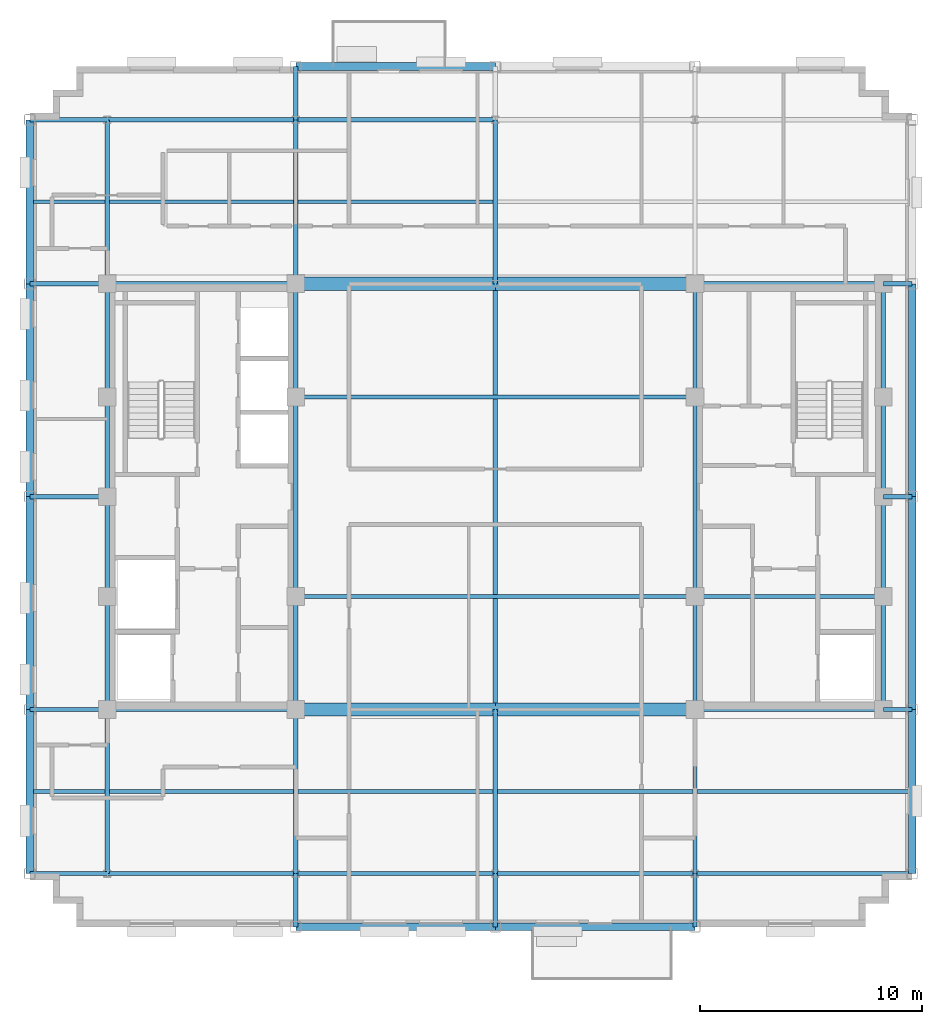
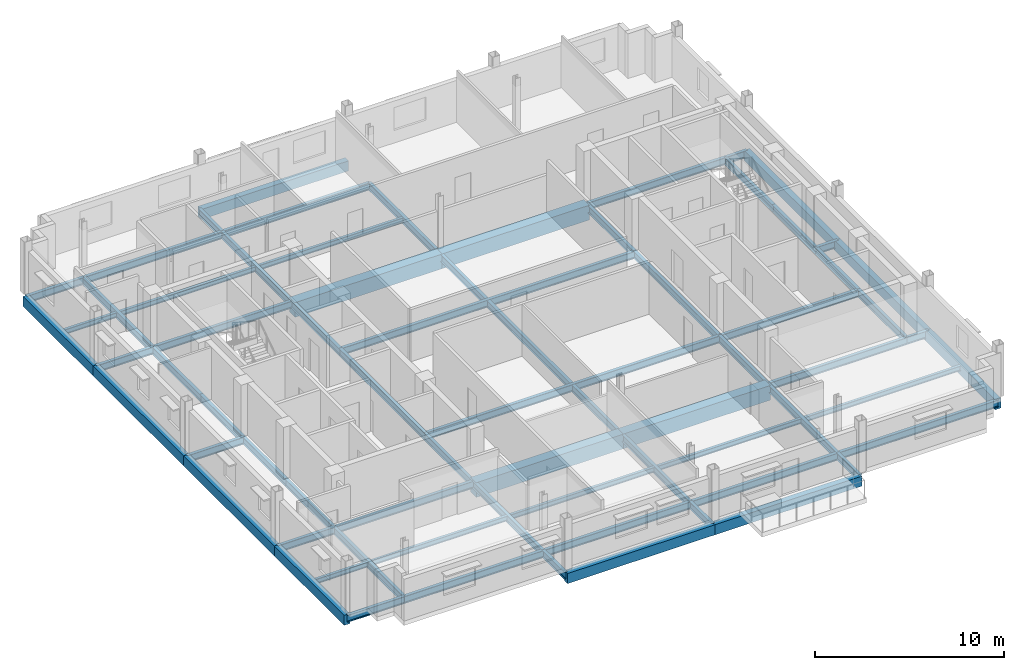
# One storey, part 4 of 13: 69 beams.
"""IFC4 building model written with IfcOpenShell, lengths in metres."""

from ifc_helpers import new_model, si_unit, direction, frame, origin, origin_2d, place, context, subcontext, project, spatial, rectangle, i_section, extrude, material, material_profile, profile_set, type_object, element, save


model = new_model("IFC4")

# Units and contexts
model_context = context("Model", 3, precision=1e-05, world=origin(), true_north=direction((0.0, 1.0)))
body_context = subcontext(model_context, "Body", "Model", "MODEL_VIEW")
ifc_project = project(units=[si_unit("LENGTHUNIT", "METRE"), si_unit("AREAUNIT", "SQUARE_METRE"), si_unit("VOLUMEUNIT", "CUBIC_METRE"), si_unit("PLANEANGLEUNIT", "RADIAN"), si_unit("MASSUNIT", "GRAM", prefix="KILO")], contexts=[model_context])

# Site, building, storey
site_placement = place(None, origin())
site = spatial("IfcSite", under=ifc_project, at=site_placement, CompositionType="ELEMENT")
building_placement = place(site_placement, origin())
building = spatial("IfcBuilding", under=site, at=building_placement, Name="Nuvemarco Arch Tower", CompositionType="ELEMENT")
storey_placement = place(building_placement, frame((0.0, 0.0, 257.949951171875)))
storey = spatial("IfcBuildingStorey", under=building, at=storey_placement, Name="L68", CompositionType="ELEMENT", Elevation=257.949951171875)

# Beams
ifc_material_1 = material(Name="Concrete C60/75", Category="concrete")
ifc_material_profile_1 = material_profile(ifc_material_1, rectangle(XDim=0.60009765625, YDim=0.949951171875, at=origin_2d()), Name="RC-BM-600x950")
ifc_profile_set_1 = profile_set([ifc_material_profile_1], Name="Concrete C60/75")
beam_type_1 = type_object("IfcBeamType", Name="BM-COUP-RC", PredefinedType="LINTEL", material=ifc_profile_set_1)
for number, where, z_axis, x_axis, name in (
    (1, (-9.0, -9.60009765625, -0.7548828125), (1.0, 0.0, 0.0), (0.0, 1.0, 0.0), "L68 structural beam BGEW_L68_0_-9.6_-9.0"),
    (2, (0.0, -9.60009765625, -0.7548828125), (1.0, 0.0, 0.0), (0.0, 1.0, 0.0), "L68 structural beam BGEW_L68_0_-9.6_+0.0"),
    (3, (-9.0, 9.60009765625, -0.7548828125), (1.0, 0.0, 0.0), (0.0, 1.0, 0.0), "L68 structural beam BGEW_L68_0_+9.6_-9.0"),
    (4, (0.0, 9.60009765625, -0.7548828125), (1.0, 0.0, 0.0), (0.0, 1.0, 0.0), "L68 structural beam BGEW_L68_0_+9.6_+0.0"),
):
    element("IfcBeam", number, at=place(storey_placement, frame(where, z_axis=z_axis, x_axis=x_axis)), inside=storey, type_object=beam_type_1, Name=name, PredefinedType="LINTEL", context=body_context, shape_type="SweptSolid", body=[
        extrude(rectangle(XDim=0.60009765625, YDim=0.949951171875, at=origin_2d()), origin(), (0.0, 0.0, 1.0), 9.0),
    ])
ifc_material_2 = material(Name="Steel S355", Category="steel")
ifc_material_profile_2 = material_profile(ifc_material_2, i_section(OverallWidth=0.19189453125, OverallDepth=0.462890625, WebThickness=0.010498046875, FlangeThickness=0.017578125, FilletRadius=0.014892578125, at=origin_2d()), Name="W460x89")
ifc_profile_set_2 = profile_set([ifc_material_profile_2], Name="Steel S355")
beam_type_2 = type_object("IfcBeamType", Name="BM-GIRD-460", PredefinedType="BEAM", material=ifc_profile_set_2)
beam_1_placement = place(storey_placement, frame((-17.5, -17.0, -0.511474609375), z_axis=(0.0, 1.0, 0.0), x_axis=(-1.0, 0.0, 0.0)))
element("IfcBeam", 5, at=beam_1_placement, inside=storey, type_object=beam_type_2, Name="L68 structural beam BGNS_L68_0_-17.5_-17.0", PredefinedType="BEAM", context=body_context, shape_type="SweptSolid", body=[
    extrude(i_section(OverallWidth=0.19189453125, OverallDepth=0.462890625, WebThickness=0.010498046875, FlangeThickness=0.017578125, FilletRadius=0.014892578125, at=origin_2d()), origin(), (0.0, 0.0, 1.0), 7.39990234375),
])
beam_2_placement = place(storey_placement, frame((-17.5, -9.60009765625, -0.511474609375), z_axis=(0.0, 1.0, 0.0), x_axis=(-1.0, 0.0, 0.0)))
element("IfcBeam", 6, at=beam_2_placement, inside=storey, type_object=beam_type_2, Name="L68 structural beam BGNS_L68_0_-17.5_-9.6", PredefinedType="BEAM", context=body_context, shape_type="SweptSolid", body=[
    extrude(i_section(OverallWidth=0.19189453125, OverallDepth=0.462890625, WebThickness=0.010498046875, FlangeThickness=0.017578125, FilletRadius=0.014892578125, at=origin_2d()), origin(), (0.0, 0.0, 1.0), 5.10009765625),
])
for number, where, z_axis, x_axis, name in (
    (7, (-17.5, -4.5, -0.511474609375), (0.0, 1.0, 0.0), (-1.0, 0.0, 0.0), "L68 structural beam BGNS_L68_0_-17.5_-4.5"),
    (8, (-17.5, 0.0, -0.511474609375), (0.0, 1.0, 0.0), (-1.0, 0.0, 0.0), "L68 structural beam BGNS_L68_0_-17.5_+0.0"),
):
    element("IfcBeam", number, at=place(storey_placement, frame(where, z_axis=z_axis, x_axis=x_axis)), inside=storey, type_object=beam_type_2, Name=name, PredefinedType="BEAM", context=body_context, shape_type="SweptSolid", body=[
        extrude(i_section(OverallWidth=0.19189453125, OverallDepth=0.462890625, WebThickness=0.010498046875, FlangeThickness=0.017578125, FilletRadius=0.014892578125, at=origin_2d()), origin(), (0.0, 0.0, 1.0), 4.5),
    ])
beam_3_placement = place(storey_placement, frame((-17.5, 4.5, -0.511474609375), z_axis=(0.0, 1.0, 0.0), x_axis=(-1.0, 0.0, 0.0)))
element("IfcBeam", 9, at=beam_3_placement, inside=storey, type_object=beam_type_2, Name="L68 structural beam BGNS_L68_0_-17.5_+4.5", PredefinedType="BEAM", context=body_context, shape_type="SweptSolid", body=[
    extrude(i_section(OverallWidth=0.19189453125, OverallDepth=0.462890625, WebThickness=0.010498046875, FlangeThickness=0.017578125, FilletRadius=0.014892578125, at=origin_2d()), origin(), (0.0, 0.0, 1.0), 5.10009765625),
])
beam_4_placement = place(storey_placement, frame((-17.5, 9.60009765625, -0.511474609375), z_axis=(0.0, 1.0, 0.0), x_axis=(-1.0, 0.0, 0.0)))
element("IfcBeam", 10, at=beam_4_placement, inside=storey, type_object=beam_type_2, Name="L68 structural beam BGNS_L68_0_-17.5_+9.6", PredefinedType="BEAM", context=body_context, shape_type="SweptSolid", body=[
    extrude(i_section(OverallWidth=0.19189453125, OverallDepth=0.462890625, WebThickness=0.010498046875, FlangeThickness=0.017578125, FilletRadius=0.014892578125, at=origin_2d()), origin(), (0.0, 0.0, 1.0), 7.39990234375),
])
beam_5_placement = place(storey_placement, frame((-9.0, -19.39990234375, -0.511474609375), z_axis=(0.0, 1.0, 0.0), x_axis=(-1.0, 0.0, 0.0)))
element("IfcBeam", 11, at=beam_5_placement, inside=storey, type_object=beam_type_2, Name="L68 structural beam BGNS_L68_0_-9.0_-19.4", PredefinedType="BEAM", context=body_context, shape_type="SweptSolid", body=[
    extrude(i_section(OverallWidth=0.19189453125, OverallDepth=0.462890625, WebThickness=0.010498046875, FlangeThickness=0.017578125, FilletRadius=0.014892578125, at=origin_2d()), origin(), (0.0, 0.0, 1.0), 2.39990234375),
])
beam_6_placement = place(storey_placement, frame((-9.0, -17.0, -0.511474609375), z_axis=(0.0, 1.0, 0.0), x_axis=(-1.0, 0.0, 0.0)))
element("IfcBeam", 12, at=beam_6_placement, inside=storey, type_object=beam_type_2, Name="L68 structural beam BGNS_L68_0_-9.0_-17.0", PredefinedType="BEAM", context=body_context, shape_type="SweptSolid", body=[
    extrude(i_section(OverallWidth=0.19189453125, OverallDepth=0.462890625, WebThickness=0.010498046875, FlangeThickness=0.017578125, FilletRadius=0.014892578125, at=origin_2d()), origin(), (0.0, 0.0, 1.0), 7.39990234375),
])
beam_7_placement = place(storey_placement, frame((-9.0, -9.60009765625, -0.511474609375), z_axis=(0.0, 1.0, 0.0), x_axis=(-1.0, 0.0, 0.0)))
element("IfcBeam", 13, at=beam_7_placement, inside=storey, type_object=beam_type_2, Name="L68 structural beam BGNS_L68_0_-9.0_-9.6", PredefinedType="BEAM", context=body_context, shape_type="SweptSolid", body=[
    extrude(i_section(OverallWidth=0.19189453125, OverallDepth=0.462890625, WebThickness=0.010498046875, FlangeThickness=0.017578125, FilletRadius=0.014892578125, at=origin_2d()), origin(), (0.0, 0.0, 1.0), 5.10009765625),
])
beam_8_placement = place(storey_placement, frame((-9.0, -4.5, -0.511474609375), z_axis=(0.0, 1.0, 0.0), x_axis=(-1.0, 0.0, 0.0)))
element("IfcBeam", 14, at=beam_8_placement, inside=storey, type_object=beam_type_2, Name="L68 structural beam BGNS_L68_0_-9.0_-4.5", PredefinedType="BEAM", context=body_context, shape_type="SweptSolid", body=[
    extrude(i_section(OverallWidth=0.19189453125, OverallDepth=0.462890625, WebThickness=0.010498046875, FlangeThickness=0.017578125, FilletRadius=0.014892578125, at=origin_2d()), origin(), (0.0, 0.0, 1.0), 9.0),
])
beam_9_placement = place(storey_placement, frame((-9.0, 4.5, -0.511474609375), z_axis=(0.0, 1.0, 0.0), x_axis=(-1.0, 0.0, 0.0)))
element("IfcBeam", 15, at=beam_9_placement, inside=storey, type_object=beam_type_2, Name="L68 structural beam BGNS_L68_0_-9.0_+4.5", PredefinedType="BEAM", context=body_context, shape_type="SweptSolid", body=[
    extrude(i_section(OverallWidth=0.19189453125, OverallDepth=0.462890625, WebThickness=0.010498046875, FlangeThickness=0.017578125, FilletRadius=0.014892578125, at=origin_2d()), origin(), (0.0, 0.0, 1.0), 5.10009765625),
])
beam_10_placement = place(storey_placement, frame((-9.0, 9.60009765625, -0.511474609375), z_axis=(0.0, 1.0, 0.0), x_axis=(-1.0, 0.0, 0.0)))
element("IfcBeam", 16, at=beam_10_placement, inside=storey, type_object=beam_type_2, Name="L68 structural beam BGNS_L68_0_-9.0_+9.6", PredefinedType="BEAM", context=body_context, shape_type="SweptSolid", body=[
    extrude(i_section(OverallWidth=0.19189453125, OverallDepth=0.462890625, WebThickness=0.010498046875, FlangeThickness=0.017578125, FilletRadius=0.014892578125, at=origin_2d()), origin(), (0.0, 0.0, 1.0), 7.39990234375),
])
for number, where, z_axis, x_axis, name in (
    (17, (-9.0, 17.0, -0.511474609375), (0.0, 1.0, 0.0), (-1.0, 0.0, 0.0), "L68 structural beam BGNS_L68_0_-9.0_+17.0"),
    (18, (0.0, -19.39990234375, -0.511474609375), (0.0, 1.0, 0.0), (-1.0, 0.0, 0.0), "L68 structural beam BGNS_L68_0_+0.0_-19.4"),
):
    element("IfcBeam", number, at=place(storey_placement, frame(where, z_axis=z_axis, x_axis=x_axis)), inside=storey, type_object=beam_type_2, Name=name, PredefinedType="BEAM", context=body_context, shape_type="SweptSolid", body=[
        extrude(i_section(OverallWidth=0.19189453125, OverallDepth=0.462890625, WebThickness=0.010498046875, FlangeThickness=0.017578125, FilletRadius=0.014892578125, at=origin_2d()), origin(), (0.0, 0.0, 1.0), 2.39990234375),
    ])
beam_11_placement = place(storey_placement, frame((0.0, -17.0, -0.511474609375), z_axis=(0.0, 1.0, 0.0), x_axis=(-1.0, 0.0, 0.0)))
element("IfcBeam", 19, at=beam_11_placement, inside=storey, type_object=beam_type_2, Name="L68 structural beam BGNS_L68_0_+0.0_-17.0", PredefinedType="BEAM", context=body_context, shape_type="SweptSolid", body=[
    extrude(i_section(OverallWidth=0.19189453125, OverallDepth=0.462890625, WebThickness=0.010498046875, FlangeThickness=0.017578125, FilletRadius=0.014892578125, at=origin_2d()), origin(), (0.0, 0.0, 1.0), 7.39990234375),
])
beam_12_placement = place(storey_placement, frame((0.0, -9.60009765625, -0.511474609375), z_axis=(0.0, 1.0, 0.0), x_axis=(-1.0, 0.0, 0.0)))
element("IfcBeam", 20, at=beam_12_placement, inside=storey, type_object=beam_type_2, Name="L68 structural beam BGNS_L68_0_+0.0_-9.6", PredefinedType="BEAM", context=body_context, shape_type="SweptSolid", body=[
    extrude(i_section(OverallWidth=0.19189453125, OverallDepth=0.462890625, WebThickness=0.010498046875, FlangeThickness=0.017578125, FilletRadius=0.014892578125, at=origin_2d()), origin(), (0.0, 0.0, 1.0), 19.2001953125),
])
beam_13_placement = place(storey_placement, frame((0.0, 9.60009765625, -0.511474609375), z_axis=(0.0, 1.0, 0.0), x_axis=(-1.0, 0.0, 0.0)))
element("IfcBeam", 21, at=beam_13_placement, inside=storey, type_object=beam_type_2, Name="L68 structural beam BGNS_L68_0_+0.0_+9.6", PredefinedType="BEAM", context=body_context, shape_type="SweptSolid", body=[
    extrude(i_section(OverallWidth=0.19189453125, OverallDepth=0.462890625, WebThickness=0.010498046875, FlangeThickness=0.017578125, FilletRadius=0.014892578125, at=origin_2d()), origin(), (0.0, 0.0, 1.0), 7.39990234375),
])
beam_14_placement = place(storey_placement, frame((9.0, -19.39990234375, -0.511474609375), z_axis=(0.0, 1.0, 0.0), x_axis=(-1.0, 0.0, 0.0)))
element("IfcBeam", 22, at=beam_14_placement, inside=storey, type_object=beam_type_2, Name="L68 structural beam BGNS_L68_0_+9.0_-19.4", PredefinedType="BEAM", context=body_context, shape_type="SweptSolid", body=[
    extrude(i_section(OverallWidth=0.19189453125, OverallDepth=0.462890625, WebThickness=0.010498046875, FlangeThickness=0.017578125, FilletRadius=0.014892578125, at=origin_2d()), origin(), (0.0, 0.0, 1.0), 2.39990234375),
])
beam_15_placement = place(storey_placement, frame((9.0, -17.0, -0.511474609375), z_axis=(0.0, 1.0, 0.0), x_axis=(-1.0, 0.0, 0.0)))
element("IfcBeam", 23, at=beam_15_placement, inside=storey, type_object=beam_type_2, Name="L68 structural beam BGNS_L68_0_+9.0_-17.0", PredefinedType="BEAM", context=body_context, shape_type="SweptSolid", body=[
    extrude(i_section(OverallWidth=0.19189453125, OverallDepth=0.462890625, WebThickness=0.010498046875, FlangeThickness=0.017578125, FilletRadius=0.014892578125, at=origin_2d()), origin(), (0.0, 0.0, 1.0), 7.39990234375),
])
beam_16_placement = place(storey_placement, frame((9.0, -9.60009765625, -0.511474609375), z_axis=(0.0, 1.0, 0.0), x_axis=(-1.0, 0.0, 0.0)))
element("IfcBeam", 24, at=beam_16_placement, inside=storey, type_object=beam_type_2, Name="L68 structural beam BGNS_L68_0_+9.0_-9.6", PredefinedType="BEAM", context=body_context, shape_type="SweptSolid", body=[
    extrude(i_section(OverallWidth=0.19189453125, OverallDepth=0.462890625, WebThickness=0.010498046875, FlangeThickness=0.017578125, FilletRadius=0.014892578125, at=origin_2d()), origin(), (0.0, 0.0, 1.0), 5.10009765625),
])
beam_17_placement = place(storey_placement, frame((9.0, -4.5, -0.511474609375), z_axis=(0.0, 1.0, 0.0), x_axis=(-1.0, 0.0, 0.0)))
element("IfcBeam", 25, at=beam_17_placement, inside=storey, type_object=beam_type_2, Name="L68 structural beam BGNS_L68_0_+9.0_-4.5", PredefinedType="BEAM", context=body_context, shape_type="SweptSolid", body=[
    extrude(i_section(OverallWidth=0.19189453125, OverallDepth=0.462890625, WebThickness=0.010498046875, FlangeThickness=0.017578125, FilletRadius=0.014892578125, at=origin_2d()), origin(), (0.0, 0.0, 1.0), 9.0),
])
for number, where, z_axis, x_axis, name in (
    (26, (9.0, 4.5, -0.511474609375), (0.0, 1.0, 0.0), (-1.0, 0.0, 0.0), "L68 structural beam BGNS_L68_0_+9.0_+4.5"),
    (27, (17.5, -9.60009765625, -0.511474609375), (0.0, 1.0, 0.0), (-1.0, 0.0, 0.0), "L68 structural beam BGNS_L68_0_+17.5_-9.6"),
):
    element("IfcBeam", number, at=place(storey_placement, frame(where, z_axis=z_axis, x_axis=x_axis)), inside=storey, type_object=beam_type_2, Name=name, PredefinedType="BEAM", context=body_context, shape_type="SweptSolid", body=[
        extrude(i_section(OverallWidth=0.19189453125, OverallDepth=0.462890625, WebThickness=0.010498046875, FlangeThickness=0.017578125, FilletRadius=0.014892578125, at=origin_2d()), origin(), (0.0, 0.0, 1.0), 5.10009765625),
    ])
for number, where, z_axis, x_axis, name in (
    (28, (17.5, -4.5, -0.511474609375), (0.0, 1.0, 0.0), (-1.0, 0.0, 0.0), "L68 structural beam BGNS_L68_0_+17.5_-4.5"),
    (29, (17.5, 0.0, -0.511474609375), (0.0, 1.0, 0.0), (-1.0, 0.0, 0.0), "L68 structural beam BGNS_L68_0_+17.5_+0.0"),
):
    element("IfcBeam", number, at=place(storey_placement, frame(where, z_axis=z_axis, x_axis=x_axis)), inside=storey, type_object=beam_type_2, Name=name, PredefinedType="BEAM", context=body_context, shape_type="SweptSolid", body=[
        extrude(i_section(OverallWidth=0.19189453125, OverallDepth=0.462890625, WebThickness=0.010498046875, FlangeThickness=0.017578125, FilletRadius=0.014892578125, at=origin_2d()), origin(), (0.0, 0.0, 1.0), 4.5),
    ])
beam_18_placement = place(storey_placement, frame((17.5, 4.5, -0.511474609375), z_axis=(0.0, 1.0, 0.0), x_axis=(-1.0, 0.0, 0.0)))
element("IfcBeam", 30, at=beam_18_placement, inside=storey, type_object=beam_type_2, Name="L68 structural beam BGNS_L68_0_+17.5_+4.5", PredefinedType="BEAM", context=body_context, shape_type="SweptSolid", body=[
    extrude(i_section(OverallWidth=0.19189453125, OverallDepth=0.462890625, WebThickness=0.010498046875, FlangeThickness=0.017578125, FilletRadius=0.014892578125, at=origin_2d()), origin(), (0.0, 0.0, 1.0), 5.10009765625),
])
beam_19_placement = place(storey_placement, frame((-21.0, -17.0, -0.511474609375), z_axis=(1.0, 0.0, 0.0), x_axis=(0.0, 1.0, 0.0)))
element("IfcBeam", 31, at=beam_19_placement, inside=storey, type_object=beam_type_2, Name="L68 structural beam BGEW_L68_0_-17.0_-21.0", PredefinedType="BEAM", context=body_context, shape_type="SweptSolid", body=[
    extrude(i_section(OverallWidth=0.19189453125, OverallDepth=0.462890625, WebThickness=0.010498046875, FlangeThickness=0.017578125, FilletRadius=0.014892578125, at=origin_2d()), origin(), (0.0, 0.0, 1.0), 3.5),
])
beam_20_placement = place(storey_placement, frame((-17.5, -17.0, -0.511474609375), z_axis=(1.0, 0.0, 0.0), x_axis=(0.0, 1.0, 0.0)))
element("IfcBeam", 32, at=beam_20_placement, inside=storey, type_object=beam_type_2, Name="L68 structural beam BGEW_L68_0_-17.0_-17.5", PredefinedType="BEAM", context=body_context, shape_type="SweptSolid", body=[
    extrude(i_section(OverallWidth=0.19189453125, OverallDepth=0.462890625, WebThickness=0.010498046875, FlangeThickness=0.017578125, FilletRadius=0.014892578125, at=origin_2d()), origin(), (0.0, 0.0, 1.0), 8.5),
])
for number, where, z_axis, x_axis, name in (
    (33, (-9.0, -17.0, -0.511474609375), (1.0, 0.0, 0.0), (0.0, 1.0, 0.0), "L68 structural beam BGEW_L68_0_-17.0_-9.0"),
    (34, (0.0, -17.0, -0.511474609375), (1.0, 0.0, 0.0), (0.0, 1.0, 0.0), "L68 structural beam BGEW_L68_0_-17.0_+0.0"),
):
    element("IfcBeam", number, at=place(storey_placement, frame(where, z_axis=z_axis, x_axis=x_axis)), inside=storey, type_object=beam_type_2, Name=name, PredefinedType="BEAM", context=body_context, shape_type="SweptSolid", body=[
        extrude(i_section(OverallWidth=0.19189453125, OverallDepth=0.462890625, WebThickness=0.010498046875, FlangeThickness=0.017578125, FilletRadius=0.014892578125, at=origin_2d()), origin(), (0.0, 0.0, 1.0), 9.0),
    ])
beam_21_placement = place(storey_placement, frame((9.0, -17.0, -0.511474609375), z_axis=(1.0, 0.0, 0.0), x_axis=(0.0, 1.0, 0.0)))
element("IfcBeam", 35, at=beam_21_placement, inside=storey, type_object=beam_type_2, Name="L68 structural beam BGEW_L68_0_-17.0_+9.0", PredefinedType="BEAM", context=body_context, shape_type="SweptSolid", body=[
    extrude(i_section(OverallWidth=0.19189453125, OverallDepth=0.462890625, WebThickness=0.010498046875, FlangeThickness=0.017578125, FilletRadius=0.014892578125, at=origin_2d()), origin(), (0.0, 0.0, 1.0), 9.800048828125),
])
beam_22_placement = place(storey_placement, frame((-21.0, -9.60009765625, -0.511474609375), z_axis=(1.0, 0.0, 0.0), x_axis=(0.0, 1.0, 0.0)))
element("IfcBeam", 36, at=beam_22_placement, inside=storey, type_object=beam_type_2, Name="L68 structural beam BGEW_L68_0_-9.6_-21.0", PredefinedType="BEAM", context=body_context, shape_type="SweptSolid", body=[
    extrude(i_section(OverallWidth=0.19189453125, OverallDepth=0.462890625, WebThickness=0.010498046875, FlangeThickness=0.017578125, FilletRadius=0.014892578125, at=origin_2d()), origin(), (0.0, 0.0, 1.0), 3.5),
])
for number, where, z_axis, x_axis, name in (
    (37, (-17.5, -9.60009765625, -0.511474609375), (1.0, 0.0, 0.0), (0.0, 1.0, 0.0), "L68 structural beam BGEW_L68_0_-9.6_-17.5"),
    (38, (9.0, -9.60009765625, -0.511474609375), (1.0, 0.0, 0.0), (0.0, 1.0, 0.0), "L68 structural beam BGEW_L68_0_-9.6_+9.0"),
):
    element("IfcBeam", number, at=place(storey_placement, frame(where, z_axis=z_axis, x_axis=x_axis)), inside=storey, type_object=beam_type_2, Name=name, PredefinedType="BEAM", context=body_context, shape_type="SweptSolid", body=[
        extrude(i_section(OverallWidth=0.19189453125, OverallDepth=0.462890625, WebThickness=0.010498046875, FlangeThickness=0.017578125, FilletRadius=0.014892578125, at=origin_2d()), origin(), (0.0, 0.0, 1.0), 8.5),
    ])
beam_23_placement = place(storey_placement, frame((17.5, -9.60009765625, -0.511474609375), z_axis=(1.0, 0.0, 0.0), x_axis=(0.0, 1.0, 0.0)))
element("IfcBeam", 39, at=beam_23_placement, inside=storey, type_object=beam_type_2, Name="L68 structural beam BGEW_L68_0_-9.6_+17.5", PredefinedType="BEAM", context=body_context, shape_type="SweptSolid", body=[
    extrude(i_section(OverallWidth=0.19189453125, OverallDepth=0.462890625, WebThickness=0.010498046875, FlangeThickness=0.017578125, FilletRadius=0.014892578125, at=origin_2d()), origin(), (0.0, 0.0, 1.0), 1.300048828125),
])
beam_24_placement = place(storey_placement, frame((-9.0, -4.5, -0.511474609375), z_axis=(1.0, 0.0, 0.0), x_axis=(0.0, 1.0, 0.0)))
element("IfcBeam", 40, at=beam_24_placement, inside=storey, type_object=beam_type_2, Name="L68 structural beam BGEW_L68_0_-4.5_-9.0", PredefinedType="BEAM", context=body_context, shape_type="SweptSolid", body=[
    extrude(i_section(OverallWidth=0.19189453125, OverallDepth=0.462890625, WebThickness=0.010498046875, FlangeThickness=0.017578125, FilletRadius=0.014892578125, at=origin_2d()), origin(), (0.0, 0.0, 1.0), 18.0),
])
beam_25_placement = place(storey_placement, frame((9.0, -4.5, -0.511474609375), z_axis=(1.0, 0.0, 0.0), x_axis=(0.0, 1.0, 0.0)))
element("IfcBeam", 41, at=beam_25_placement, inside=storey, type_object=beam_type_2, Name="L68 structural beam BGEW_L68_0_-4.5_+9.0", PredefinedType="BEAM", context=body_context, shape_type="SweptSolid", body=[
    extrude(i_section(OverallWidth=0.19189453125, OverallDepth=0.462890625, WebThickness=0.010498046875, FlangeThickness=0.017578125, FilletRadius=0.014892578125, at=origin_2d()), origin(), (0.0, 0.0, 1.0), 8.5),
])
beam_26_placement = place(storey_placement, frame((-21.0, 0.0, -0.511474609375), z_axis=(1.0, 0.0, 0.0), x_axis=(0.0, 1.0, 0.0)))
element("IfcBeam", 42, at=beam_26_placement, inside=storey, type_object=beam_type_2, Name="L68 structural beam BGEW_L68_0_+0.0_-21.0", PredefinedType="BEAM", context=body_context, shape_type="SweptSolid", body=[
    extrude(i_section(OverallWidth=0.19189453125, OverallDepth=0.462890625, WebThickness=0.010498046875, FlangeThickness=0.017578125, FilletRadius=0.014892578125, at=origin_2d()), origin(), (0.0, 0.0, 1.0), 3.5),
])
beam_27_placement = place(storey_placement, frame((17.5, 0.0, -0.511474609375), z_axis=(1.0, 0.0, 0.0), x_axis=(0.0, 1.0, 0.0)))
element("IfcBeam", 43, at=beam_27_placement, inside=storey, type_object=beam_type_2, Name="L68 structural beam BGEW_L68_0_+0.0_+17.5", PredefinedType="BEAM", context=body_context, shape_type="SweptSolid", body=[
    extrude(i_section(OverallWidth=0.19189453125, OverallDepth=0.462890625, WebThickness=0.010498046875, FlangeThickness=0.017578125, FilletRadius=0.014892578125, at=origin_2d()), origin(), (0.0, 0.0, 1.0), 1.300048828125),
])
beam_28_placement = place(storey_placement, frame((-9.0, 4.5, -0.511474609375), z_axis=(1.0, 0.0, 0.0), x_axis=(0.0, 1.0, 0.0)))
element("IfcBeam", 44, at=beam_28_placement, inside=storey, type_object=beam_type_2, Name="L68 structural beam BGEW_L68_0_+4.5_-9.0", PredefinedType="BEAM", context=body_context, shape_type="SweptSolid", body=[
    extrude(i_section(OverallWidth=0.19189453125, OverallDepth=0.462890625, WebThickness=0.010498046875, FlangeThickness=0.017578125, FilletRadius=0.014892578125, at=origin_2d()), origin(), (0.0, 0.0, 1.0), 18.0),
])
beam_29_placement = place(storey_placement, frame((-21.0, 9.60009765625, -0.511474609375), z_axis=(1.0, 0.0, 0.0), x_axis=(0.0, 1.0, 0.0)))
element("IfcBeam", 45, at=beam_29_placement, inside=storey, type_object=beam_type_2, Name="L68 structural beam BGEW_L68_0_+9.6_-21.0", PredefinedType="BEAM", context=body_context, shape_type="SweptSolid", body=[
    extrude(i_section(OverallWidth=0.19189453125, OverallDepth=0.462890625, WebThickness=0.010498046875, FlangeThickness=0.017578125, FilletRadius=0.014892578125, at=origin_2d()), origin(), (0.0, 0.0, 1.0), 3.5),
])
for number, where, z_axis, x_axis, name in (
    (46, (-17.5, 9.60009765625, -0.511474609375), (1.0, 0.0, 0.0), (0.0, 1.0, 0.0), "L68 structural beam BGEW_L68_0_+9.6_-17.5"),
    (47, (9.0, 9.60009765625, -0.511474609375), (1.0, 0.0, 0.0), (0.0, 1.0, 0.0), "L68 structural beam BGEW_L68_0_+9.6_+9.0"),
):
    element("IfcBeam", number, at=place(storey_placement, frame(where, z_axis=z_axis, x_axis=x_axis)), inside=storey, type_object=beam_type_2, Name=name, PredefinedType="BEAM", context=body_context, shape_type="SweptSolid", body=[
        extrude(i_section(OverallWidth=0.19189453125, OverallDepth=0.462890625, WebThickness=0.010498046875, FlangeThickness=0.017578125, FilletRadius=0.014892578125, at=origin_2d()), origin(), (0.0, 0.0, 1.0), 8.5),
    ])
beam_30_placement = place(storey_placement, frame((17.5, 9.60009765625, -0.511474609375), z_axis=(1.0, 0.0, 0.0), x_axis=(0.0, 1.0, 0.0)))
element("IfcBeam", 48, at=beam_30_placement, inside=storey, type_object=beam_type_2, Name="L68 structural beam BGEW_L68_0_+9.6_+17.5", PredefinedType="BEAM", context=body_context, shape_type="SweptSolid", body=[
    extrude(i_section(OverallWidth=0.19189453125, OverallDepth=0.462890625, WebThickness=0.010498046875, FlangeThickness=0.017578125, FilletRadius=0.014892578125, at=origin_2d()), origin(), (0.0, 0.0, 1.0), 1.300048828125),
])
beam_31_placement = place(storey_placement, frame((-21.0, 17.0, -0.511474609375), z_axis=(1.0, 0.0, 0.0), x_axis=(0.0, 1.0, 0.0)))
element("IfcBeam", 49, at=beam_31_placement, inside=storey, type_object=beam_type_2, Name="L68 structural beam BGEW_L68_0_+17.0_-21.0", PredefinedType="BEAM", context=body_context, shape_type="SweptSolid", body=[
    extrude(i_section(OverallWidth=0.19189453125, OverallDepth=0.462890625, WebThickness=0.010498046875, FlangeThickness=0.017578125, FilletRadius=0.014892578125, at=origin_2d()), origin(), (0.0, 0.0, 1.0), 3.5),
])
beam_32_placement = place(storey_placement, frame((-17.5, 17.0, -0.511474609375), z_axis=(1.0, 0.0, 0.0), x_axis=(0.0, 1.0, 0.0)))
element("IfcBeam", 50, at=beam_32_placement, inside=storey, type_object=beam_type_2, Name="L68 structural beam BGEW_L68_0_+17.0_-17.5", PredefinedType="BEAM", context=body_context, shape_type="SweptSolid", body=[
    extrude(i_section(OverallWidth=0.19189453125, OverallDepth=0.462890625, WebThickness=0.010498046875, FlangeThickness=0.017578125, FilletRadius=0.014892578125, at=origin_2d()), origin(), (0.0, 0.0, 1.0), 8.5),
])
beam_33_placement = place(storey_placement, frame((-9.0, 17.0, -0.511474609375), z_axis=(1.0, 0.0, 0.0), x_axis=(0.0, 1.0, 0.0)))
element("IfcBeam", 51, at=beam_33_placement, inside=storey, type_object=beam_type_2, Name="L68 structural beam BGEW_L68_0_+17.0_-9.0", PredefinedType="BEAM", context=body_context, shape_type="SweptSolid", body=[
    extrude(i_section(OverallWidth=0.19189453125, OverallDepth=0.462890625, WebThickness=0.010498046875, FlangeThickness=0.017578125, FilletRadius=0.014892578125, at=origin_2d()), origin(), (0.0, 0.0, 1.0), 9.0),
])
ifc_material_profile_3 = material_profile(ifc_material_2, i_section(OverallWidth=0.1669921875, OverallDepth=0.31689453125, WebThickness=0.007568359375, FlangeThickness=0.01318359375, FilletRadius=0.010009765625, at=origin_2d()), Name="W310x52")
ifc_profile_set_3 = profile_set([ifc_material_profile_3], Name="Steel S355")
beam_type_3 = type_object("IfcBeamType", Name="BM-JOIST-310", PredefinedType="JOIST", material=ifc_profile_set_3)
beam_34_placement = place(storey_placement, frame((-20.824951171875, -13.300048828125, -0.4384765625), z_axis=(1.0, 0.0, 0.0), x_axis=(0.0, 1.0, 0.0)))
element("IfcBeam", 52, at=beam_34_placement, inside=storey, type_object=beam_type_3, Name="L68 structural beam BJ_L68_0_-13.3_-21.0", PredefinedType="JOIST", context=body_context, shape_type="SweptSolid", body=[
    extrude(i_section(OverallWidth=0.1669921875, OverallDepth=0.31689453125, WebThickness=0.007568359375, FlangeThickness=0.01318359375, FilletRadius=0.010009765625, at=origin_2d()), origin(), (0.0, 0.0, 1.0), 3.22900390625),
])
beam_35_placement = place(storey_placement, frame((-17.404052734375, -13.300048828125, -0.4384765625), z_axis=(1.0, 0.0, 0.0), x_axis=(0.0, 1.0, 0.0)))
element("IfcBeam", 53, at=beam_35_placement, inside=storey, type_object=beam_type_3, Name="L68 structural beam BJ_L68_0_-13.3_-17.5", PredefinedType="JOIST", context=body_context, shape_type="SweptSolid", body=[
    extrude(i_section(OverallWidth=0.1669921875, OverallDepth=0.31689453125, WebThickness=0.007568359375, FlangeThickness=0.01318359375, FilletRadius=0.010009765625, at=origin_2d()), origin(), (0.0, 0.0, 1.0), 8.30810546875),
])
for number, where, z_axis, x_axis, name in (
    (54, (-8.904052734375, -13.300048828125, -0.4384765625), (1.0, 0.0, 0.0), (0.0, 1.0, 0.0), "L68 structural beam BJ_L68_0_-13.3_-9.0"),
    (55, (0.095947265625, -13.300048828125, -0.4384765625), (1.0, 0.0, 0.0), (0.0, 1.0, 0.0), "L68 structural beam BJ_L68_0_-13.3_+0.0"),
):
    element("IfcBeam", number, at=place(storey_placement, frame(where, z_axis=z_axis, x_axis=x_axis)), inside=storey, type_object=beam_type_3, Name=name, PredefinedType="JOIST", context=body_context, shape_type="SweptSolid", body=[
        extrude(i_section(OverallWidth=0.1669921875, OverallDepth=0.31689453125, WebThickness=0.007568359375, FlangeThickness=0.01318359375, FilletRadius=0.010009765625, at=origin_2d()), origin(), (0.0, 0.0, 1.0), 8.80810546875),
    ])
beam_36_placement = place(storey_placement, frame((9.095947265625, -13.300048828125, -0.4384765625), z_axis=(1.0, 0.0, 0.0), x_axis=(0.0, 1.0, 0.0)))
element("IfcBeam", 56, at=beam_36_placement, inside=storey, type_object=beam_type_3, Name="L68 structural beam BJ_L68_0_-13.3_+9.0", PredefinedType="JOIST", context=body_context, shape_type="SweptSolid", body=[
    extrude(i_section(OverallWidth=0.1669921875, OverallDepth=0.31689453125, WebThickness=0.007568359375, FlangeThickness=0.01318359375, FilletRadius=0.010009765625, at=origin_2d()), origin(), (0.0, 0.0, 1.0), 9.529052734375),
])
beam_37_placement = place(storey_placement, frame((-20.824951171875, 13.300048828125, -0.4384765625), z_axis=(1.0, 0.0, 0.0), x_axis=(0.0, 1.0, 0.0)))
element("IfcBeam", 57, at=beam_37_placement, inside=storey, type_object=beam_type_3, Name="L68 structural beam BJ_L68_0_+13.3_-21.0", PredefinedType="JOIST", context=body_context, shape_type="SweptSolid", body=[
    extrude(i_section(OverallWidth=0.1669921875, OverallDepth=0.31689453125, WebThickness=0.007568359375, FlangeThickness=0.01318359375, FilletRadius=0.010009765625, at=origin_2d()), origin(), (0.0, 0.0, 1.0), 3.22900390625),
])
beam_38_placement = place(storey_placement, frame((-17.404052734375, 13.300048828125, -0.4384765625), z_axis=(1.0, 0.0, 0.0), x_axis=(0.0, 1.0, 0.0)))
element("IfcBeam", 58, at=beam_38_placement, inside=storey, type_object=beam_type_3, Name="L68 structural beam BJ_L68_0_+13.3_-17.5", PredefinedType="JOIST", context=body_context, shape_type="SweptSolid", body=[
    extrude(i_section(OverallWidth=0.1669921875, OverallDepth=0.31689453125, WebThickness=0.007568359375, FlangeThickness=0.01318359375, FilletRadius=0.010009765625, at=origin_2d()), origin(), (0.0, 0.0, 1.0), 8.30810546875),
])
beam_39_placement = place(storey_placement, frame((-8.904052734375, 13.300048828125, -0.4384765625), z_axis=(1.0, 0.0, 0.0), x_axis=(0.0, 1.0, 0.0)))
element("IfcBeam", 59, at=beam_39_placement, inside=storey, type_object=beam_type_3, Name="L68 structural beam BJ_L68_0_+13.3_-9.0", PredefinedType="JOIST", context=body_context, shape_type="SweptSolid", body=[
    extrude(i_section(OverallWidth=0.1669921875, OverallDepth=0.31689453125, WebThickness=0.007568359375, FlangeThickness=0.01318359375, FilletRadius=0.010009765625, at=origin_2d()), origin(), (0.0, 0.0, 1.0), 8.80810546875),
])
ifc_material_3 = material(Name="Precast concrete C45/55", Category="concrete")
ifc_material_profile_4 = material_profile(ifc_material_3, rectangle(XDim=0.35009765625, YDim=0.64990234375, at=origin_2d()), Name="PC-SP-350x650")
ifc_profile_set_4 = profile_set([ifc_material_profile_4], Name="Precast concrete C45/55")
beam_type_4 = type_object("IfcBeamType", Name="BM-SPAN-RC", PredefinedType="SPANDREL", material=ifc_profile_set_4)
beam_40_placement = place(storey_placement, frame((-21.0, -17.0, -0.60498046875), z_axis=(0.0, 1.0, 0.0), x_axis=(-1.0, 0.0, 0.0)))
element("IfcBeam", 60, at=beam_40_placement, inside=storey, type_object=beam_type_4, Name="L68 structural beam BGNS_L68_0_-21.0_-17.0", PredefinedType="SPANDREL", context=body_context, shape_type="SweptSolid", body=[
    extrude(rectangle(XDim=0.35009765625, YDim=0.64990234375, at=origin_2d()), origin(), (0.0, 0.0, 1.0), 7.39990234375),
])
for number, where, z_axis, x_axis, name in (
    (61, (-21.0, -9.60009765625, -0.60498046875), (0.0, 1.0, 0.0), (-1.0, 0.0, 0.0), "L68 structural beam BGNS_L68_0_-21.0_-9.6"),
    (62, (-21.0, 0.0, -0.60498046875), (0.0, 1.0, 0.0), (-1.0, 0.0, 0.0), "L68 structural beam BGNS_L68_0_-21.0_+0.0"),
):
    element("IfcBeam", number, at=place(storey_placement, frame(where, z_axis=z_axis, x_axis=x_axis)), inside=storey, type_object=beam_type_4, Name=name, PredefinedType="SPANDREL", context=body_context, shape_type="SweptSolid", body=[
        extrude(rectangle(XDim=0.35009765625, YDim=0.64990234375, at=origin_2d()), origin(), (0.0, 0.0, 1.0), 9.60009765625),
    ])
for number, where, z_axis, x_axis, name in (
    (63, (-21.0, 9.60009765625, -0.60498046875), (0.0, 1.0, 0.0), (-1.0, 0.0, 0.0), "L68 structural beam BGNS_L68_0_-21.0_+9.6"),
    (64, (18.800048828125, -17.0, -0.60498046875), (0.0, 1.0, 0.0), (-1.0, 0.0, 0.0), "L68 structural beam BGNS_L68_0_+18.8_-17.0"),
):
    element("IfcBeam", number, at=place(storey_placement, frame(where, z_axis=z_axis, x_axis=x_axis)), inside=storey, type_object=beam_type_4, Name=name, PredefinedType="SPANDREL", context=body_context, shape_type="SweptSolid", body=[
        extrude(rectangle(XDim=0.35009765625, YDim=0.64990234375, at=origin_2d()), origin(), (0.0, 0.0, 1.0), 7.39990234375),
    ])
for number, where, z_axis, x_axis, name in (
    (65, (18.800048828125, -9.60009765625, -0.60498046875), (0.0, 1.0, 0.0), (-1.0, 0.0, 0.0), "L68 structural beam BGNS_L68_0_+18.8_-9.6"),
    (66, (18.800048828125, 0.0, -0.60498046875), (0.0, 1.0, 0.0), (-1.0, 0.0, 0.0), "L68 structural beam BGNS_L68_0_+18.8_+0.0"),
):
    element("IfcBeam", number, at=place(storey_placement, frame(where, z_axis=z_axis, x_axis=x_axis)), inside=storey, type_object=beam_type_4, Name=name, PredefinedType="SPANDREL", context=body_context, shape_type="SweptSolid", body=[
        extrude(rectangle(XDim=0.35009765625, YDim=0.64990234375, at=origin_2d()), origin(), (0.0, 0.0, 1.0), 9.60009765625),
    ])
for number, where, z_axis, x_axis, name in (
    (67, (-9.0, -19.39990234375, -0.60498046875), (1.0, 0.0, 0.0), (0.0, 1.0, 0.0), "L68 structural beam BGEW_L68_0_-19.4_-9.0"),
    (68, (0.0, -19.39990234375, -0.60498046875), (1.0, 0.0, 0.0), (0.0, 1.0, 0.0), "L68 structural beam BGEW_L68_0_-19.4_+0.0"),
    (69, (-9.0, 19.39990234375, -0.60498046875), (1.0, 0.0, 0.0), (0.0, 1.0, 0.0), "L68 structural beam BGEW_L68_0_+19.4_-9.0"),
):
    element("IfcBeam", number, at=place(storey_placement, frame(where, z_axis=z_axis, x_axis=x_axis)), inside=storey, type_object=beam_type_4, Name=name, PredefinedType="SPANDREL", context=body_context, shape_type="SweptSolid", body=[
        extrude(rectangle(XDim=0.35009765625, YDim=0.64990234375, at=origin_2d()), origin(), (0.0, 0.0, 1.0), 9.0),
    ])

save(model, "model.ifc")
